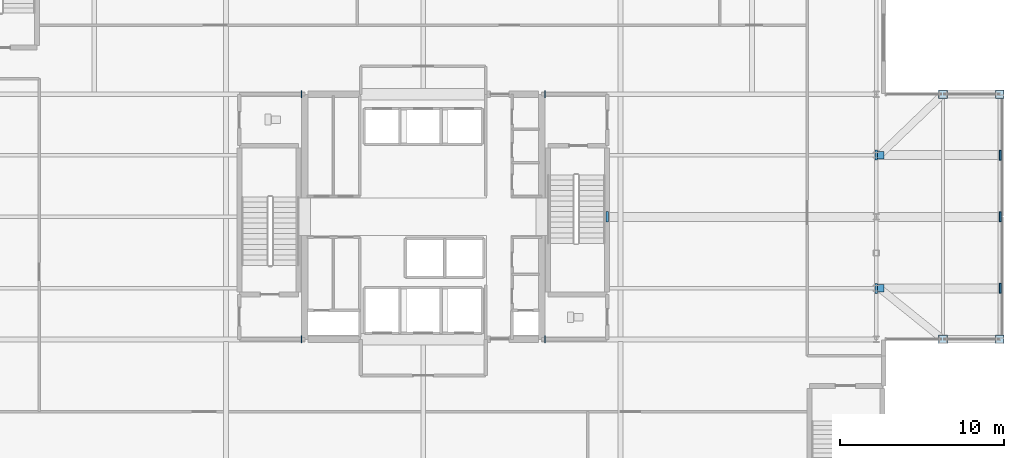
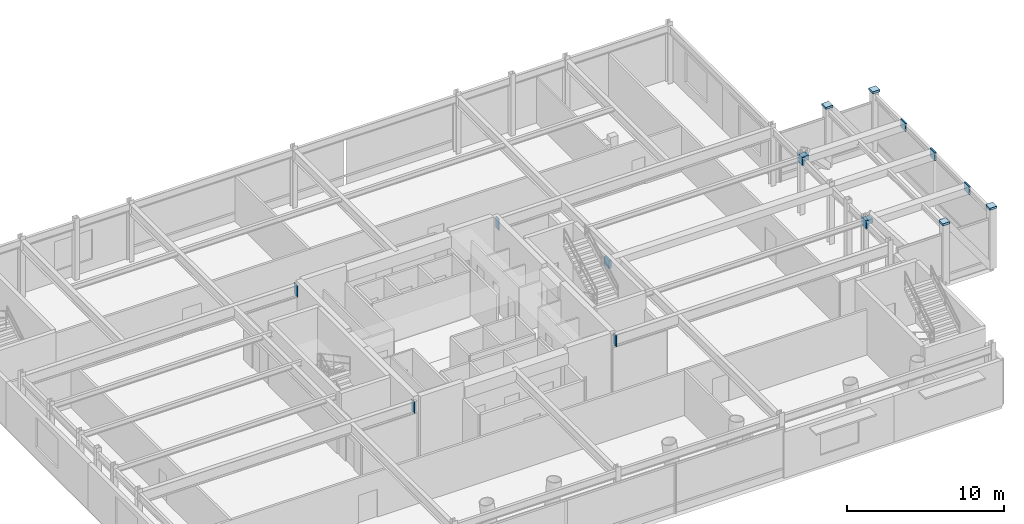
# One storey, part 18 of 26: 16 plates.
"""IFC4 building model written with IfcOpenShell, lengths in metres."""

from ifc_helpers import new_model, si_unit, direction, frame, origin, origin_2d, place, context, subcontext, project, spatial, rectangle, extrude, material, layer, layer_set, type_object, element, save


model = new_model("IFC4")

# Units and contexts
model_context = context("Model", 3, precision=1e-05, world=origin(), true_north=direction((0.0, 1.0)))
body_context = subcontext(model_context, "Body", "Model", "MODEL_VIEW")
ifc_project = project(units=[si_unit("LENGTHUNIT", "METRE"), si_unit("AREAUNIT", "SQUARE_METRE"), si_unit("VOLUMEUNIT", "CUBIC_METRE"), si_unit("PLANEANGLEUNIT", "RADIAN"), si_unit("MASSUNIT", "GRAM", prefix="KILO")], contexts=[model_context])

# Site, building, storey
site_placement = place(None, origin())
site = spatial("IfcSite", under=ifc_project, at=site_placement, CompositionType="ELEMENT")
building_placement = place(site_placement, origin())
building = spatial("IfcBuilding", under=site, at=building_placement, Name="Veldorina Hangang Commons", CompositionType="ELEMENT")
storey_placement = place(building_placement, frame((0.0, 0.0, 10.0)))
storey = spatial("IfcBuildingStorey", under=building, at=storey_placement, Name="L02", CompositionType="ELEMENT", Elevation=10.0)

# Plates
ifc_material_1 = material(Name="Steel SM490-TMC", Category="steel")
ifc_layer_1 = layer(ifc_material_1, 0.044921875)
ifc_layer_set_1 = layer_set([ifc_layer_1], Name="Steel SM490-TMC")
plate_type_1 = type_object("IfcPlateType", Name="PL-NODE-45", PredefinedType="SHEET", material=ifc_layer_set_1)
for number, where, z_axis, x_axis, name in (
    (1, (24.60009765625, 16.550048828125, 3.610107421875), (0.0, 0.0, 1.0), (1.0, 0.0, 0.0), "L02 west collector girder GD core embed plate"),
    (2, (39.39990234375, 16.550048828125, 3.610107421875), (0.0, 0.0, 1.0), (1.0, 0.0, 0.0), "L02 east collector girder GD core embed plate"),
    (3, (24.60009765625, 31.449951171875, 3.610107421875), (0.0, 0.0, 1.0), (1.0, 0.0, 0.0), "L02 west collector girder GF core embed plate"),
    (4, (39.39990234375, 31.449951171875, 3.610107421875), (0.0, 0.0, 1.0), (1.0, 0.0, 0.0), "L02 east collector girder GF core embed plate"),
):
    element("IfcPlate", number, at=place(storey_placement, frame(where, z_axis=z_axis, x_axis=x_axis)), inside=storey, type_object=plate_type_1, Name=name, PredefinedType="SHEET", context=body_context, shape_type="SweptSolid", body=[
        extrude(rectangle(XDim=0.044921875, YDim=0.419921875, at=origin_2d()), origin(), (0.0, 0.0, 1.0), 0.8798828125),
    ])
plate_1_placement = place(storey_placement, frame((59.550048828125, 19.64990234375, 3.9150390625), z_axis=(0.0, 0.0, 1.0), x_axis=(1.0, 0.0, 0.0)))
element("IfcPlate", 5, at=plate_1_placement, inside=storey, type_object=plate_type_1, Name="L02 lounge girder S root cap", PredefinedType="SHEET", context=body_context, shape_type="SweptSolid", body=[
    extrude(rectangle(XDim=0.159912109375, YDim=0.6201171875, at=origin_2d()), origin(), (0.0, 0.0, 1.0), 0.6201171875),
])
plate_2_placement = place(storey_placement, frame((67.080078125, 19.64990234375, 3.9150390625), z_axis=(0.0, 0.0, 1.0), x_axis=(1.0, 0.0, 0.0)))
element("IfcPlate", 6, at=plate_2_placement, inside=storey, type_object=plate_type_1, Name="L02 lounge girder S tip end-cap plate", PredefinedType="SHEET", context=body_context, shape_type="SweptSolid", body=[
    extrude(rectangle(XDim=0.1201171875, YDim=0.6201171875, at=origin_2d()), origin(), (0.0, 0.0, 1.0), 0.6201171875),
])
plate_3_placement = place(storey_placement, frame((43.179931640625, 24.0, 3.9150390625), z_axis=(0.0, 0.0, 1.0), x_axis=(1.0, 0.0, 0.0)))
element("IfcPlate", 7, at=plate_3_placement, inside=storey, type_object=plate_type_1, Name="L02 lounge backspan inner end cap", PredefinedType="SHEET", context=body_context, shape_type="SweptSolid", body=[
    extrude(rectangle(XDim=0.159912109375, YDim=0.6201171875, at=origin_2d()), origin(), (0.0, 0.0, 1.0), 0.6201171875),
])
plate_4_placement = place(storey_placement, frame((67.080078125, 24.0, 3.9150390625), z_axis=(0.0, 0.0, 1.0), x_axis=(1.0, 0.0, 0.0)))
element("IfcPlate", 8, at=plate_4_placement, inside=storey, type_object=plate_type_1, Name="L02 lounge girder M tip end-cap plate", PredefinedType="SHEET", context=body_context, shape_type="SweptSolid", body=[
    extrude(rectangle(XDim=0.1201171875, YDim=0.6201171875, at=origin_2d()), origin(), (0.0, 0.0, 1.0), 0.6201171875),
])
plate_5_placement = place(storey_placement, frame((59.550048828125, 27.75, 3.9150390625), z_axis=(0.0, 0.0, 1.0), x_axis=(1.0, 0.0, 0.0)))
element("IfcPlate", 9, at=plate_5_placement, inside=storey, type_object=plate_type_1, Name="L02 lounge girder N root cap", PredefinedType="SHEET", context=body_context, shape_type="SweptSolid", body=[
    extrude(rectangle(XDim=0.159912109375, YDim=0.6201171875, at=origin_2d()), origin(), (0.0, 0.0, 1.0), 0.6201171875),
])
plate_6_placement = place(storey_placement, frame((67.080078125, 27.75, 3.9150390625), z_axis=(0.0, 0.0, 1.0), x_axis=(1.0, 0.0, 0.0)))
element("IfcPlate", 10, at=plate_6_placement, inside=storey, type_object=plate_type_1, Name="L02 lounge girder N tip end-cap plate", PredefinedType="SHEET", context=body_context, shape_type="SweptSolid", body=[
    extrude(rectangle(XDim=0.1201171875, YDim=0.6201171875, at=origin_2d()), origin(), (0.0, 0.0, 1.0), 0.6201171875),
])
for number, where, z_axis, x_axis, name in (
    (11, (63.60009765625, 16.550048828125, 4.64013671875), (0.0, 0.0, 1.0), (1.0, 0.0, 0.0), "L02 lounge post S-P1 cap"),
    (12, (67.050048828125, 16.550048828125, 4.64013671875), (0.0, 0.0, 1.0), (1.0, 0.0, 0.0), "L02 lounge post S-P2 cap"),
    (13, (63.60009765625, 31.449951171875, 4.64013671875), (0.0, 0.0, 1.0), (1.0, 0.0, 0.0), "L02 lounge post N-P1 cap"),
    (14, (67.050048828125, 31.449951171875, 4.64013671875), (0.0, 0.0, 1.0), (1.0, 0.0, 0.0), "L02 lounge post N-P2 cap"),
):
    element("IfcPlate", number, at=place(storey_placement, frame(where, z_axis=z_axis, x_axis=x_axis)), inside=storey, type_object=plate_type_1, Name=name, PredefinedType="SHEET", context=body_context, shape_type="SweptSolid", body=[
        extrude(rectangle(XDim=0.52001953125, YDim=0.52001953125, at=origin_2d()), origin(), (0.0, 0.0, 1.0), 0.159912109375),
    ])
ifc_material_2 = material(Name="Steel SM460-TMC", Category="steel")
ifc_layer_2 = layer(ifc_material_2, 0.035888671875)
ifc_layer_set_2 = layer_set([ifc_layer_2], Name="Steel SM460-TMC")
plate_type_2 = type_object("IfcPlateType", Name="PL-STAR-36", PredefinedType="USERDEFINED", material=ifc_layer_set_2)
for number, where, z_axis, x_axis, name in (
    (15, (59.75, 19.64990234375, 4.14013671875), (0.0, 0.0, 1.0), (1.0, 0.0, 0.0), "L02 lounge truss diagonal S-D1 node gusset plate"),
    (16, (59.75, 27.75, 4.14013671875), (0.0, 0.0, 1.0), (1.0, 0.0, 0.0), "L02 lounge truss diagonal N-D1 node gusset plate"),
):
    element("IfcPlate", number, at=place(storey_placement, frame(where, z_axis=z_axis, x_axis=x_axis)), inside=storey, type_object=plate_type_2, Name=name, ObjectType="GUSSET PLATE", PredefinedType="USERDEFINED", context=body_context, shape_type="SweptSolid", body=[
        extrude(rectangle(XDim=0.5, YDim=0.449951171875, at=origin_2d()), origin(), (0.0, 0.0, 1.0), 0.360107421875),
    ])

save(model, "model.ifc")
